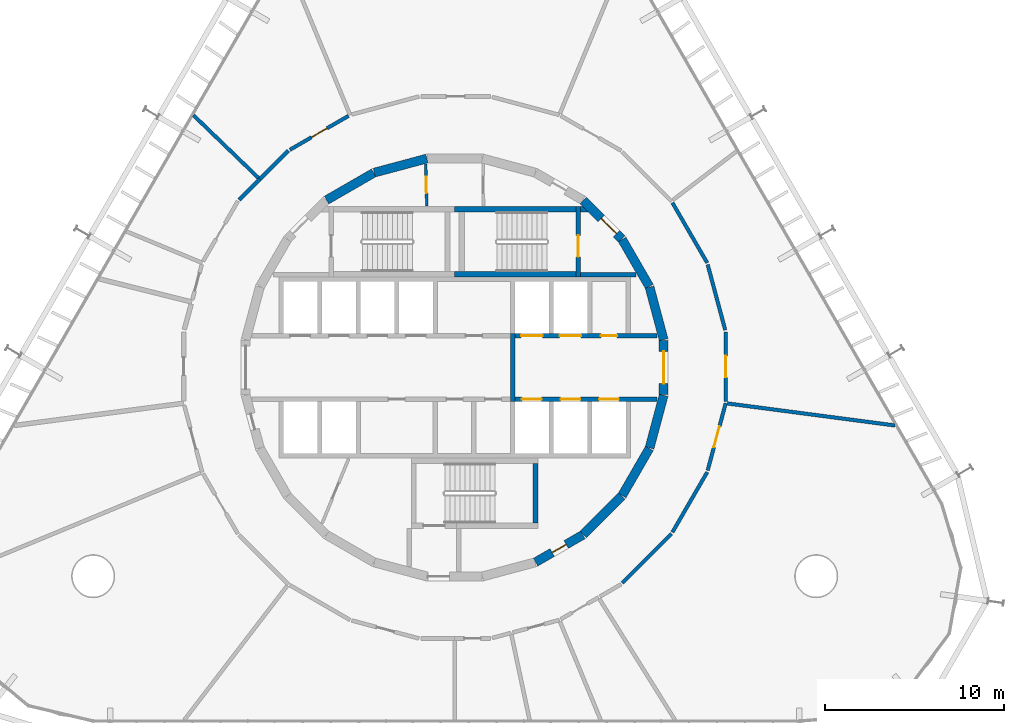
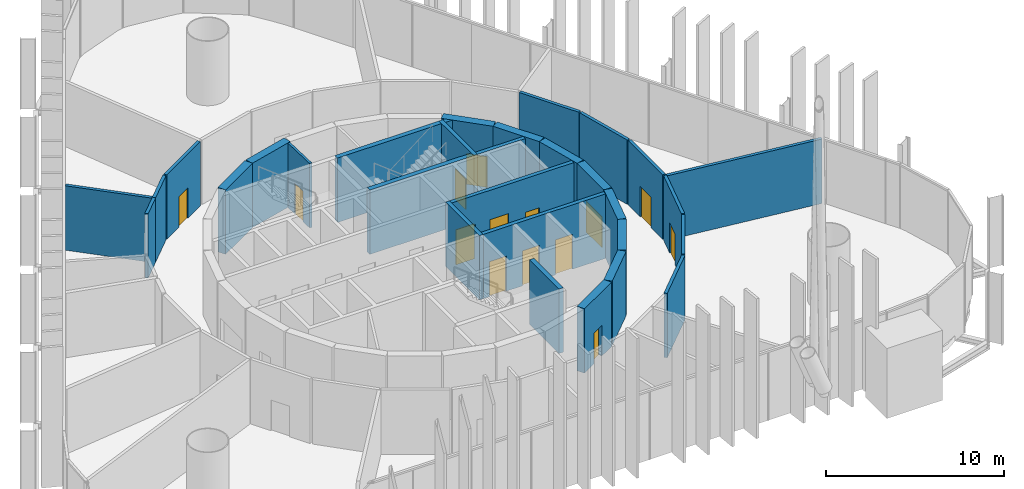
# One storey, part 16 of 18: 31 walls, 14 doors, 14 openings.
"""IFC4 building model written with IfcOpenShell, lengths in metres."""

from ifc_helpers import new_model, si_unit, direction, frame, frame_2d, origin, place, context, subcontext, project, spatial, polyline, rectangle, outline, extrude, material, layer, layer_set, type_object, element, fill, save


model = new_model("IFC4")

# Units and contexts
model_context = context("Model", 3, precision=1e-05, world=origin(), true_north=direction((0.0, 1.0)))
body_context = subcontext(model_context, "Body", "Model", "MODEL_VIEW")
ifc_project = project(units=[si_unit("LENGTHUNIT", "METRE"), si_unit("AREAUNIT", "SQUARE_METRE"), si_unit("VOLUMEUNIT", "CUBIC_METRE"), si_unit("PLANEANGLEUNIT", "RADIAN"), si_unit("MASSUNIT", "GRAM", prefix="KILO")], contexts=[model_context])

# Site, building, storey
site_placement = place(None, origin())
site = spatial("IfcSite", under=ifc_project, at=site_placement, CompositionType="ELEMENT")
building_placement = place(site_placement, origin())
building = spatial("IfcBuilding", under=site, at=building_placement, Name="Spindle Arch Residences", CompositionType="ELEMENT")
storey_placement = place(building_placement, frame((0.0, 0.0, 9.0)))
storey = spatial("IfcBuildingStorey", under=building, at=storey_placement, Name="L01", CompositionType="ELEMENT", Elevation=9.0)

# Wall, opening, door
ifc_material_1 = material(Name="Concrete C50/60", Category="concrete")
ifc_layer_1 = layer(ifc_material_1, 0.5)
ifc_layer_set_1 = layer_set([ifc_layer_1], Name="Core outline wall 500")
wall_type_1 = type_object("IfcWallType", Name="Core outline wall 500", PredefinedType="SHEAR", material=ifc_layer_set_1)
wall_1_placement = place(storey_placement, frame((4.510498046875, -10.84521484375, 0.0), z_axis=(0.0, 0.0, 1.0), x_axis=(0.865975092491, 0.500087131594, 0.0)))
wall_1 = element("IfcWall", 1, at=wall_1_placement, inside=storey, type_object=wall_type_1, Name="Core outline wall 2", PredefinedType="SHEAR", context=body_context, shape_type="SweptSolid", body=[
    extrude(rectangle(XDim=3.03271484375, YDim=0.5, at=frame_2d((1.516357421875, 0.0))), origin(), (0.0, 0.0, 1.0), 4.419921875),
])
opening_1_placement = place(wall_1_placement, frame((1.06640625, 0.0, 0.0)))
opening_1 = element("IfcOpeningElement", 2, at=opening_1_placement, cuts=wall_1, Name="Opening L01-WD09", PredefinedType="OPENING", context=body_context, shape_type="SweptSolid", body=[
    extrude(rectangle(XDim=0.89990234375, YDim=2.10009765625, at=frame_2d((0.449951171875, 1.050048828125))), frame((0.0, 0.260009765625, 0.0), z_axis=(0.0, -1.0, 0.0), x_axis=(1.0, 0.0, 0.0)), (0.0, 0.0, 1.0), 0.52001953125),
])
ifc_material_2 = material(Name="Steel, fire-resisting door", Category="steel")
door_type_1 = type_object("IfcDoorType", Name="Service room door 900x2100", OperationType="SINGLE_SWING_LEFT", PredefinedType="DOOR", material=ifc_material_2)
door_1_placement = place(opening_1_placement, origin())
door_1 = element("IfcDoor", 3, at=door_1_placement, inside=storey, type_object=door_type_1, Name="Service room door L01-WD09", OperationType="SINGLE_SWING_RIGHT", OverallHeight=2.10009765625, OverallWidth=0.89990234375, PredefinedType="DOOR", context=body_context, shape_type="SweptSolid", body=[
    extrude(rectangle(XDim=0.89990234375, YDim=2.10009765625, at=frame_2d((0.449951171875, 1.050048828125))), frame((0.0, 0.02490234375, 0.0), z_axis=(0.0, -1.0, 0.0), x_axis=(1.0, 0.0, 0.0)), (0.0, 0.0, 1.0), 0.050048828125),
])
fill(opening_1, door_1)

# Walls
wall_2_placement = place(storey_placement, frame((7.163818359375, -9.30810546875, 0.0), z_axis=(0.0, 0.0, 1.0), x_axis=(0.707106781187, 0.707106781187, 0.0)))
element("IfcWall", 4, at=wall_2_placement, inside=storey, type_object=wall_type_1, Name="Core outline wall 3", PredefinedType="SHEAR", context=body_context, shape_type="SweptSolid", body=[
    extrude(rectangle(XDim=3.032470703125, YDim=0.5, at=frame_2d((1.51611328125, 0.0))), origin(), (0.0, 0.0, 1.0), 4.419921875),
])
for number, where, z_axis, x_axis, name in (
    (5, (9.32861328125, -7.13671875, 0.0), (0.0, 0.0, 1.0), (0.500087131594, 0.865975092491, 0.0), "Core outline wall 4"),
    (6, (10.858154296875, -4.479248046875, 0.0), (0.0, 0.0, 1.0), (0.258734743916, 0.965948410781, 0.0), "Core outline wall 5"),
):
    element("IfcWall", number, at=place(storey_placement, frame(where, z_axis=z_axis, x_axis=x_axis)), inside=storey, type_object=wall_type_1, Name=name, PredefinedType="SHEAR", context=body_context, shape_type="SweptSolid", body=[
        extrude(rectangle(XDim=3.03271484375, YDim=0.5, at=frame_2d((1.516357421875, 0.0))), origin(), (0.0, 0.0, 1.0), 4.419921875),
    ])

# Wall, opening, door
wall_3_placement = place(storey_placement, frame((11.647216796875, -1.516357421875, 0.0), z_axis=(0.0, 0.0, 1.0), x_axis=(0.0, 1.0, 0.0)))
wall_3 = element("IfcWall", 7, at=wall_3_placement, inside=storey, type_object=wall_type_1, Name="Core outline wall 6", PredefinedType="SHEAR", context=body_context, shape_type="SweptSolid", body=[
    extrude(rectangle(XDim=3.03271484375, YDim=0.5, at=frame_2d((1.516357421875, 0.0))), origin(), (0.0, 0.0, 1.0), 4.419921875),
])
opening_2_placement = place(wall_3_placement, frame((0.6162109375, 0.0, 0.0)))
opening_2 = element("IfcOpeningElement", 8, at=opening_2_placement, cuts=wall_3, Name="Opening L01-FE01", PredefinedType="OPENING", context=body_context, shape_type="SweptSolid", body=[
    extrude(rectangle(XDim=1.800048828125, YDim=2.10009765625, at=frame_2d((0.89990234375, 1.050048828125))), frame((0.0, 0.260009765625, 0.0), z_axis=(0.0, -1.0, 0.0), x_axis=(1.0, 0.0, 0.0)), (0.0, 0.0, 1.0), 0.52001953125),
])
ifc_material_3 = material(Name="Steel, fire-resisting door", Category="steel")
door_type_2 = type_object("IfcDoorType", Name="Fire-lift lobby door 1800x2100", OperationType="DOUBLE_DOOR_SINGLE_SWING", PredefinedType="DOOR", material=ifc_material_3)
door_2_placement = place(opening_2_placement, origin())
door_2 = element("IfcDoor", 9, at=door_2_placement, inside=storey, type_object=door_type_2, Name="Fire-lift lobby door L01-FE01", OperationType="DOUBLE_DOOR_SINGLE_SWING", OverallHeight=2.10009765625, OverallWidth=1.800048828125, PredefinedType="DOOR", context=body_context, shape_type="SweptSolid", body=[
    extrude(rectangle(XDim=1.800048828125, YDim=2.10009765625, at=frame_2d((0.89990234375, 1.050048828125))), frame((0.0, 0.02490234375, 0.0), z_axis=(0.0, -1.0, 0.0), x_axis=(1.0, 0.0, 0.0)), (0.0, 0.0, 1.0), 0.050048828125),
])
fill(opening_2, door_2)

# Walls
for number, where, z_axis, x_axis, name in (
    (10, (11.642822265625, 1.5498046875, 0.0), (0.0, 0.0, 1.0), (-0.258734743916, 0.965948410781, 0.0), "Core outline wall 7"),
    (11, (10.84521484375, 4.510498046875, 0.0), (0.0, 0.0, 1.0), (-0.500087131594, 0.865975092491, 0.0), "Core outline wall 8"),
):
    element("IfcWall", number, at=place(storey_placement, frame(where, z_axis=z_axis, x_axis=x_axis)), inside=storey, type_object=wall_type_1, Name=name, PredefinedType="SHEAR", context=body_context, shape_type="SweptSolid", body=[
        extrude(rectangle(XDim=3.03271484375, YDim=0.5, at=frame_2d((1.516357421875, 0.0))), origin(), (0.0, 0.0, 1.0), 4.419921875),
    ])

# Wall, opening, door
wall_4_placement = place(storey_placement, frame((9.30810546875, 7.163818359375, 0.0), z_axis=(0.0, 0.0, 1.0), x_axis=(-0.707106781187, 0.707106781187, 0.0)))
wall_4 = element("IfcWall", 12, at=wall_4_placement, inside=storey, type_object=wall_type_1, Name="Core outline wall 9", PredefinedType="SHEAR", context=body_context, shape_type="SweptSolid", body=[
    extrude(rectangle(XDim=3.032470703125, YDim=0.5, at=frame_2d((1.51611328125, 0.0))), origin(), (0.0, 0.0, 1.0), 4.419921875),
])
opening_3_placement = place(wall_4_placement, frame((0.416259765625, 0.0, 0.0)))
opening_3 = element("IfcOpeningElement", 13, at=opening_3_placement, cuts=wall_4, Name="Opening L01-AD01", PredefinedType="OPENING", context=body_context, shape_type="SweptSolid", body=[
    extrude(rectangle(XDim=1.199951171875, YDim=2.10009765625, at=frame_2d((0.60009765625, 1.050048828125))), frame((0.0, 0.260009765625, 0.0), z_axis=(0.0, -1.0, 0.0), x_axis=(1.0, 0.0, 0.0)), (0.0, 0.0, 1.0), 0.52001953125),
])
ifc_material_4 = material(Name="Steel, fire-resisting door", Category="steel")
door_type_3 = type_object("IfcDoorType", Name="Stair airlock door 1200x2100", OperationType="SINGLE_SWING_LEFT", PredefinedType="DOOR", material=ifc_material_4)
door_3_placement = place(opening_3_placement, origin())
door_3 = element("IfcDoor", 14, at=door_3_placement, inside=storey, type_object=door_type_3, Name="Stair airlock door L01-AD01", OperationType="SINGLE_SWING_RIGHT", OverallHeight=2.10009765625, OverallWidth=1.199951171875, PredefinedType="DOOR", context=body_context, shape_type="SweptSolid", body=[
    extrude(rectangle(XDim=1.199951171875, YDim=2.10009765625, at=frame_2d((0.60009765625, 1.050048828125))), frame((0.0, 0.02490234375, 0.0), z_axis=(0.0, -1.0, 0.0), x_axis=(1.0, 0.0, 0.0)), (0.0, 0.0, 1.0), 0.050048828125),
])
fill(opening_3, door_3)

# Walls
for number, where, z_axis, x_axis, name in (
    (15, (-1.5498046875, 11.642822265625, 0.0), (0.0, 0.0, 1.0), (-0.965948410781, -0.258734743916, 0.0), "Core outline wall 13"),
    (16, (-4.510498046875, 10.84521484375, 0.0), (0.0, 0.0, 1.0), (-0.865975092491, -0.500087131594, 0.0), "Core outline wall 14"),
):
    element("IfcWall", number, at=place(storey_placement, frame(where, z_axis=z_axis, x_axis=x_axis)), inside=storey, type_object=wall_type_1, Name=name, PredefinedType="SHEAR", context=body_context, shape_type="SweptSolid", body=[
        extrude(rectangle(XDim=3.03271484375, YDim=0.5, at=frame_2d((1.516357421875, 0.0))), origin(), (0.0, 0.0, 1.0), 4.419921875),
    ])

# Wall, openings, doors
ifc_material_5 = material(Name="Concrete C40/50", Category="concrete")
ifc_layer_2 = layer(ifc_material_5, 0.25)
ifc_layer_set_2 = layer_set([ifc_layer_2], Name="Fire-lift lobby wall 250")
wall_type_2 = type_object("IfcWallType", Name="Fire-lift lobby wall 250", PredefinedType="SHEAR", material=ifc_layer_set_2)
wall_5_placement = place(storey_placement, frame((3.35009765625, 1.77490234375, 0.0), z_axis=(0.0, 0.0, 1.0), x_axis=(1.0, 0.0, 0.0)))
wall_5 = element("IfcWall", 17, at=wall_5_placement, inside=storey, type_object=wall_type_2, Name="Lift shaft front wall NE", PredefinedType="SHEAR", context=body_context, shape_type="SweptSolid", body=[
    extrude(rectangle(XDim=7.929931640625, YDim=0.25, at=frame_2d((3.96484375, 0.0))), origin(), (0.0, 0.0, 1.0), 4.419921875),
])
opening_4_placement = place(wall_5_placement, frame((0.35009765625, 0.0, 0.0)))
opening_4 = element("IfcOpeningElement", 18, at=opening_4_placement, cuts=wall_5, Name="Opening L01-SLD01", PredefinedType="OPENING", context=body_context, shape_type="SweptSolid", body=[
    extrude(rectangle(XDim=1.199951171875, YDim=2.39990234375, at=frame_2d((0.60009765625, 1.199951171875))), frame((0.0, 0.135009765625, 0.0), z_axis=(0.0, -1.0, 0.0), x_axis=(1.0, 0.0, 0.0)), (0.0, 0.0, 1.0), 0.27001953125),
])
opening_5_placement = place(wall_5_placement, frame((2.5, 0.0, 0.0)))
opening_5 = element("IfcOpeningElement", 19, at=opening_5_placement, cuts=wall_5, Name="Opening L01-SLD02", PredefinedType="OPENING", context=body_context, shape_type="SweptSolid", body=[
    extrude(rectangle(XDim=1.199951171875, YDim=2.39990234375, at=frame_2d((0.60009765625, 1.199951171875))), frame((0.0, 0.135009765625, 0.0), z_axis=(0.0, -1.0, 0.0), x_axis=(1.0, 0.0, 0.0)), (0.0, 0.0, 1.0), 0.27001953125),
])
opening_6_placement = place(wall_5_placement, frame((4.800048828125, 0.0, 0.0)))
opening_6 = element("IfcOpeningElement", 20, at=opening_6_placement, cuts=wall_5, Name="Opening L01-WD02", PredefinedType="OPENING", context=body_context, shape_type="SweptSolid", body=[
    extrude(rectangle(XDim=0.89990234375, YDim=2.10009765625, at=frame_2d((0.449951171875, 1.050048828125))), frame((0.0, 0.135009765625, 0.0), z_axis=(0.0, -1.0, 0.0), x_axis=(1.0, 0.0, 0.0)), (0.0, 0.0, 1.0), 0.27001953125),
])
ifc_material_6 = material(Name="Steel, fire-resisting landing door", Category="steel")
door_type_4 = type_object("IfcDoorType", Name="Service lift landing door 1200x2400", OperationType="DOUBLE_DOOR_SLIDING", PredefinedType="DOOR", material=ifc_material_6)
door_4_placement = place(opening_4_placement, origin())
door_4 = element("IfcDoor", 21, at=door_4_placement, inside=storey, type_object=door_type_4, Name="Service lift landing door L01-SLD01", OperationType="DOUBLE_DOOR_SLIDING", OverallHeight=2.39990234375, OverallWidth=1.199951171875, PredefinedType="DOOR", context=body_context, shape_type="SweptSolid", body=[
    extrude(rectangle(XDim=1.199951171875, YDim=2.39990234375, at=frame_2d((0.60009765625, 1.199951171875))), frame((0.0, 0.02490234375, 0.0), z_axis=(0.0, -1.0, 0.0), x_axis=(1.0, 0.0, 0.0)), (0.0, 0.0, 1.0), 0.050048828125),
])
fill(opening_4, door_4)
door_5_placement = place(opening_5_placement, origin())
door_5 = element("IfcDoor", 22, at=door_5_placement, inside=storey, type_object=door_type_4, Name="Service lift landing door L01-SLD02", OperationType="DOUBLE_DOOR_SLIDING", OverallHeight=2.39990234375, OverallWidth=1.199951171875, PredefinedType="DOOR", context=body_context, shape_type="SweptSolid", body=[
    extrude(rectangle(XDim=1.199951171875, YDim=2.39990234375, at=frame_2d((0.60009765625, 1.199951171875))), frame((0.0, 0.02490234375, 0.0), z_axis=(0.0, -1.0, 0.0), x_axis=(1.0, 0.0, 0.0)), (0.0, 0.0, 1.0), 0.050048828125),
])
fill(opening_5, door_5)
door_6_placement = place(opening_6_placement, origin())
door_6 = element("IfcDoor", 23, at=door_6_placement, inside=storey, type_object=door_type_1, Name="Service room door L01-WD02", OperationType="SINGLE_SWING_LEFT", OverallHeight=2.10009765625, OverallWidth=0.89990234375, PredefinedType="DOOR", context=body_context, shape_type="SweptSolid", body=[
    extrude(rectangle(XDim=0.89990234375, YDim=2.10009765625, at=frame_2d((0.449951171875, 1.050048828125))), frame((0.0, 0.02490234375, 0.0), z_axis=(0.0, -1.0, 0.0), x_axis=(1.0, 0.0, 0.0)), (0.0, 0.0, 1.0), 0.050048828125),
])
fill(opening_6, door_6)

# Wall
wall_6_placement = place(storey_placement, frame((3.22509765625, -1.89990234375, 0.0), z_axis=(0.0, 0.0, 1.0), x_axis=(0.0, 1.0, 0.0)))
element("IfcWall", 24, at=wall_6_placement, inside=storey, type_object=wall_type_2, Name="Fire-fighting lobby partition", PredefinedType="SHEAR", context=body_context, shape_type="SweptSolid", body=[
    extrude(rectangle(XDim=3.7998046875, YDim=0.25, at=frame_2d((1.89990234375, 0.0))), origin(), (0.0, 0.0, 1.0), 4.419921875),
])

# Wall, openings, doors
ifc_material_7 = material(Name="Concrete C50/60", Category="concrete")
ifc_layer_3 = layer(ifc_material_7, 0.25)
ifc_layer_set_3 = layer_set([ifc_layer_3], Name="Fire-lift shaft wall 250")
wall_type_3 = type_object("IfcWallType", Name="Fire-lift shaft wall 250", PredefinedType="SHEAR", material=ifc_layer_set_3)
wall_7_placement = place(storey_placement, frame((3.35009765625, -1.77490234375, 0.0), z_axis=(0.0, 0.0, 1.0), x_axis=(1.0, 0.0, 0.0)))
wall_7 = element("IfcWall", 25, at=wall_7_placement, inside=storey, type_object=wall_type_3, Name="Lift shaft front wall SE", PredefinedType="SHEAR", context=body_context, shape_type="SweptSolid", body=[
    extrude(rectangle(XDim=7.929931640625, YDim=0.25, at=frame_2d((3.96484375, 0.0))), origin(), (0.0, 0.0, 1.0), 4.419921875),
])
opening_7_placement = place(wall_7_placement, frame((0.39990234375, 0.0, 0.0)))
opening_7 = element("IfcOpeningElement", 26, at=opening_7_placement, cuts=wall_7, Name="Opening L01-FLD01", PredefinedType="OPENING", context=body_context, shape_type="SweptSolid", body=[
    extrude(rectangle(XDim=1.10009765625, YDim=2.39990234375, at=frame_2d((0.550048828125, 1.199951171875))), frame((0.0, 0.135009765625, 0.0), z_axis=(0.0, -1.0, 0.0), x_axis=(1.0, 0.0, 0.0)), (0.0, 0.0, 1.0), 0.27001953125),
])
opening_8_placement = place(wall_7_placement, frame((2.550048828125, 0.0, 0.0)))
opening_8 = element("IfcOpeningElement", 27, at=opening_8_placement, cuts=wall_7, Name="Opening L01-FLD02", PredefinedType="OPENING", context=body_context, shape_type="SweptSolid", body=[
    extrude(rectangle(XDim=1.10009765625, YDim=2.39990234375, at=frame_2d((0.550048828125, 1.199951171875))), frame((0.0, 0.135009765625, 0.0), z_axis=(0.0, -1.0, 0.0), x_axis=(1.0, 0.0, 0.0)), (0.0, 0.0, 1.0), 0.27001953125),
])
opening_9_placement = place(wall_7_placement, frame((4.699951171875, 0.0, 0.0)))
opening_9 = element("IfcOpeningElement", 28, at=opening_9_placement, cuts=wall_7, Name="Opening L01-FLD03", PredefinedType="OPENING", context=body_context, shape_type="SweptSolid", body=[
    extrude(rectangle(XDim=1.10009765625, YDim=2.39990234375, at=frame_2d((0.550048828125, 1.199951171875))), frame((0.0, 0.135009765625, 0.0), z_axis=(0.0, -1.0, 0.0), x_axis=(1.0, 0.0, 0.0)), (0.0, 0.0, 1.0), 0.27001953125),
])
ifc_material_8 = material(Name="Steel, fire-resisting landing door", Category="steel")
door_type_5 = type_object("IfcDoorType", Name="Fire-fighting lift landing door 1100x2400", OperationType="DOUBLE_DOOR_SLIDING", PredefinedType="DOOR", material=ifc_material_8)
door_7_placement = place(opening_7_placement, origin())
door_7 = element("IfcDoor", 29, at=door_7_placement, inside=storey, type_object=door_type_5, Name="Fire-fighting lift landing door L01-FLD01", OperationType="DOUBLE_DOOR_SLIDING", OverallHeight=2.39990234375, OverallWidth=1.10009765625, PredefinedType="DOOR", context=body_context, shape_type="SweptSolid", body=[
    extrude(rectangle(XDim=1.10009765625, YDim=2.39990234375, at=frame_2d((0.550048828125, 1.199951171875))), frame((0.0, 0.02490234375, 0.0), z_axis=(0.0, -1.0, 0.0), x_axis=(1.0, 0.0, 0.0)), (0.0, 0.0, 1.0), 0.050048828125),
])
fill(opening_7, door_7)
door_8_placement = place(opening_8_placement, origin())
door_8 = element("IfcDoor", 30, at=door_8_placement, inside=storey, type_object=door_type_5, Name="Fire-fighting lift landing door L01-FLD02", OperationType="DOUBLE_DOOR_SLIDING", OverallHeight=2.39990234375, OverallWidth=1.10009765625, PredefinedType="DOOR", context=body_context, shape_type="SweptSolid", body=[
    extrude(rectangle(XDim=1.10009765625, YDim=2.39990234375, at=frame_2d((0.550048828125, 1.199951171875))), frame((0.0, 0.02490234375, 0.0), z_axis=(0.0, -1.0, 0.0), x_axis=(1.0, 0.0, 0.0)), (0.0, 0.0, 1.0), 0.050048828125),
])
fill(opening_8, door_8)
door_9_placement = place(opening_9_placement, origin())
door_9 = element("IfcDoor", 31, at=door_9_placement, inside=storey, type_object=door_type_5, Name="Fire-fighting lift landing door L01-FLD03", OperationType="DOUBLE_DOOR_SLIDING", OverallHeight=2.39990234375, OverallWidth=1.10009765625, PredefinedType="DOOR", context=body_context, shape_type="SweptSolid", body=[
    extrude(rectangle(XDim=1.10009765625, YDim=2.39990234375, at=frame_2d((0.550048828125, 1.199951171875))), frame((0.0, 0.02490234375, 0.0), z_axis=(0.0, -1.0, 0.0), x_axis=(1.0, 0.0, 0.0)), (0.0, 0.0, 1.0), 0.050048828125),
])
fill(opening_9, door_9)

# Walls
ifc_material_9 = material(Name="Gypsum board partition on steel studs", Category="steel")
ifc_layer_4 = layer(ifc_material_9, 0.199951171875)
ifc_layer_set_4 = layer_set([ifc_layer_4], Name="Partition EI 60 200 amenity")
wall_type_4 = type_object("IfcWallType", Name="Partition EI 60 200 amenity", PredefinedType="PARTITIONING", material=ifc_layer_set_4)
wall_8_placement = place(storey_placement, frame((-10.931884765625, 10.559326171875, 0.0), z_axis=(0.0, 0.0, 1.0), x_axis=(-0.719667489814, 0.694318877825, 0.0)))
element("IfcWall", 32, at=wall_8_placement, inside=storey, type_object=wall_type_4, Name="L01-W012", PredefinedType="PARTITIONING", context=body_context, shape_type="SweptSolid", body=[
    extrude(rectangle(XDim=5.027587890625, YDim=0.199951171875, at=frame_2d((2.513671875, 0.0))), origin(), (0.0, 0.0, 1.0), 4.419921875),
])
wall_9_placement = place(storey_placement, frame((-10.860107421875, 10.489990234375, 0.0), z_axis=(0.0, 0.0, 1.0), x_axis=(-0.707106781187, -0.707106781187, 0.0)))
element("IfcWall", 33, at=wall_9_placement, inside=storey, type_object=wall_type_4, Name="L01-W013", PredefinedType="PARTITIONING", context=body_context, shape_type="SweptSolid", body=[
    extrude(rectangle(XDim=1.625244140625, YDim=0.199951171875, at=frame_2d((0.8125, 0.0))), origin(), (0.0, 0.0, 1.0), 4.419921875),
])
wall_10_placement = place(storey_placement, frame((-9.27001953125, 12.080078125, 0.0), z_axis=(0.0, 0.0, 1.0), x_axis=(-0.707106781187, -0.707106781187, 0.0)))
element("IfcWall", 34, at=wall_10_placement, inside=storey, type_object=wall_type_4, Name="L01-W016", PredefinedType="PARTITIONING", context=body_context, shape_type="SweptSolid", body=[
    extrude(rectangle(XDim=2.248779296875, YDim=0.199951171875, at=frame_2d((1.12451171875, 0.0))), origin(), (0.0, 0.0, 1.0), 4.419921875),
])

# Wall, opening, door
wall_11_placement = place(storey_placement, frame((-5.91650390625, 14.02001953125, 0.0), z_axis=(0.0, 0.0, 1.0), x_axis=(-0.865591582237, -0.500750649286, 0.0)))
wall_11 = element("IfcWall", 35, at=wall_11_placement, inside=storey, type_object=wall_type_4, Name="L01-W019", PredefinedType="PARTITIONING", context=body_context, shape_type="SweptSolid", body=[
    extrude(rectangle(XDim=3.774169921875, YDim=0.199951171875, at=frame_2d((1.88720703125, 0.0))), origin(), (0.0, 0.0, 1.0), 4.419921875),
])
opening_10_placement = place(wall_11_placement, frame((1.38720703125, 0.0, 0.0)))
opening_10 = element("IfcOpeningElement", 36, at=opening_10_placement, cuts=wall_11, Name="Opening L01-D13", PredefinedType="OPENING", context=body_context, shape_type="SweptSolid", body=[
    extrude(rectangle(XDim=1.0, YDim=2.10009765625, at=frame_2d((0.5, 1.050048828125))), frame((0.0, 0.10986328125, 0.0), z_axis=(0.0, -1.0, 0.0), x_axis=(1.0, 0.0, 0.0)), (0.0, 0.0, 1.0), 0.219970703125),
])
ifc_material_10 = material(Name="Timber door leaf", Category="wood")
door_type_6 = type_object("IfcDoorType", Name="Door 1000x2100 EI 30", OperationType="SINGLE_SWING_LEFT", PredefinedType="DOOR", material=ifc_material_10)
door_10_placement = place(opening_10_placement, origin())
door_10 = element("IfcDoor", 37, at=door_10_placement, inside=storey, type_object=door_type_6, Name="L01-D13", OperationType="SINGLE_SWING_LEFT", OverallHeight=2.10009765625, OverallWidth=1.0, PredefinedType="DOOR", context=body_context, shape_type="SweptSolid", body=[
    extrude(rectangle(XDim=1.0, YDim=2.10009765625, at=frame_2d((0.5, 1.050048828125))), frame((0.0, 0.02490234375, 0.0), z_axis=(0.0, -1.0, 0.0), x_axis=(1.0, 0.0, 0.0)), (0.0, 0.0, 1.0), 0.050048828125),
])
fill(opening_10, door_10)

# Walls
wall_12_placement = place(storey_placement, frame((9.3408203125, -12.00927734375, 0.0), z_axis=(0.0, 0.0, 1.0), x_axis=(0.707106781187, 0.707106781187, 0.0)))
element("IfcWall", 38, at=wall_12_placement, inside=storey, type_object=wall_type_4, Name="L01-W033", PredefinedType="PARTITIONING", context=body_context, shape_type="SweptSolid", body=[
    extrude(rectangle(XDim=3.873779296875, YDim=0.199951171875, at=frame_2d((1.93701171875, 0.0))), origin(), (0.0, 0.0, 1.0), 4.419921875),
])
wall_13_placement = place(storey_placement, frame((12.130126953125, -9.183349609375, 0.0), z_axis=(0.0, 0.0, 1.0), x_axis=(0.500760497952, 0.865585884642, 0.0)))
element("IfcWall", 39, at=wall_13_placement, inside=storey, type_object=wall_type_4, Name="L01-W036", PredefinedType="PARTITIONING", context=body_context, shape_type="SweptSolid", body=[
    extrude(rectangle(XDim=3.8740234375, YDim=0.199951171875, at=frame_2d((1.93701171875, 0.0))), origin(), (0.0, 0.0, 1.0), 4.419921875),
])

# Wall, opening, door
wall_14_placement = place(storey_placement, frame((14.095947265625, -5.7333984375, 0.0), z_axis=(0.0, 0.0, 1.0), x_axis=(0.259085569159, 0.96585437197, 0.0)))
wall_14 = element("IfcWall", 40, at=wall_14_placement, inside=storey, type_object=wall_type_4, Name="L01-W039", PredefinedType="PARTITIONING", context=body_context, shape_type="SweptSolid", body=[
    extrude(rectangle(XDim=3.875732421875, YDim=0.199951171875, at=frame_2d((1.93798828125, 0.0))), origin(), (0.0, 0.0, 1.0), 4.419921875),
])
opening_11_placement = place(wall_14_placement, frame((1.337890625, 0.0, 0.0)))
opening_11 = element("IfcOpeningElement", 41, at=opening_11_placement, cuts=wall_14, Name="Opening L01-D06", PredefinedType="OPENING", context=body_context, shape_type="SweptSolid", body=[
    extrude(rectangle(XDim=1.199951171875, YDim=2.10009765625, at=frame_2d((0.60009765625, 1.050048828125))), frame((0.0, 0.10986328125, 0.0), z_axis=(0.0, -1.0, 0.0), x_axis=(1.0, 0.0, 0.0)), (0.0, 0.0, 1.0), 0.219970703125),
])
ifc_material_11 = material(Name="Timber door leaf", Category="wood")
door_type_7 = type_object("IfcDoorType", Name="Door 1200x2100 EI 30", OperationType="SINGLE_SWING_LEFT", PredefinedType="DOOR", material=ifc_material_11)
door_11_placement = place(opening_11_placement, origin())
door_11 = element("IfcDoor", 42, at=door_11_placement, inside=storey, type_object=door_type_7, Name="L01-D06", OperationType="SINGLE_SWING_LEFT", OverallHeight=2.10009765625, OverallWidth=1.199951171875, PredefinedType="DOOR", context=body_context, shape_type="SweptSolid", body=[
    extrude(rectangle(XDim=1.199951171875, YDim=2.10009765625, at=frame_2d((0.60009765625, 1.050048828125))), frame((0.0, 0.02490234375, 0.0), z_axis=(0.0, -1.0, 0.0), x_axis=(1.0, 0.0, 0.0)), (0.0, 0.0, 1.0), 0.050048828125),
])
fill(opening_11, door_11)

# Wall
wall_15_placement = place(storey_placement, frame((14.070068359375, 5.830078125, 0.0), z_axis=(0.0, 0.0, 1.0), x_axis=(-0.500760497952, 0.865585884642, 0.0)))
element("IfcWall", 43, at=wall_15_placement, inside=storey, type_object=wall_type_4, Name="L01-W040", PredefinedType="PARTITIONING", context=body_context, shape_type="SweptSolid", body=[
    extrude(rectangle(XDim=3.8740234375, YDim=0.199951171875, at=frame_2d((1.93701171875, 0.0))), origin(), (0.0, 0.0, 1.0), 4.419921875),
])

# Wall, opening, door
wall_16_placement = place(storey_placement, frame((15.10009765625, -1.889892578125, 0.0), z_axis=(0.0, 0.0, 1.0), x_axis=(0.0, 1.0, 0.0)))
wall_16 = element("IfcWall", 44, at=wall_16_placement, inside=storey, type_object=wall_type_4, Name="L01-W041", PredefinedType="PARTITIONING", context=body_context, shape_type="SweptSolid", body=[
    extrude(rectangle(XDim=3.8798828125, YDim=0.199951171875, at=frame_2d((1.93994140625, 0.0))), origin(), (0.0, 0.0, 1.0), 4.419921875),
])
opening_12_placement = place(wall_16_placement, frame((1.340087890625, 0.0, 0.0)))
opening_12 = element("IfcOpeningElement", 45, at=opening_12_placement, cuts=wall_16, Name="Opening L01-D09", PredefinedType="OPENING", context=body_context, shape_type="SweptSolid", body=[
    extrude(rectangle(XDim=1.199951171875, YDim=2.10009765625, at=frame_2d((0.60009765625, 1.050048828125))), frame((0.0, 0.10986328125, 0.0), z_axis=(0.0, -1.0, 0.0), x_axis=(1.0, 0.0, 0.0)), (0.0, 0.0, 1.0), 0.219970703125),
])
door_12_placement = place(opening_12_placement, origin())
door_12 = element("IfcDoor", 46, at=door_12_placement, inside=storey, type_object=door_type_7, Name="L01-D09", OperationType="SINGLE_SWING_LEFT", OverallHeight=2.10009765625, OverallWidth=1.199951171875, PredefinedType="DOOR", context=body_context, shape_type="SweptSolid", body=[
    extrude(rectangle(XDim=1.199951171875, YDim=2.10009765625, at=frame_2d((0.60009765625, 1.050048828125))), frame((0.0, 0.02490234375, 0.0), z_axis=(0.0, -1.0, 0.0), x_axis=(1.0, 0.0, 0.0)), (0.0, 0.0, 1.0), 0.050048828125),
])
fill(opening_12, door_12)

# Walls
wall_17_placement = place(storey_placement, frame((15.19921875, -2.0029296875, 0.0), z_axis=(0.0, 0.0, 1.0), x_axis=(0.991463740717, -0.130382709146, 0.0)))
element("IfcWall", 47, at=wall_17_placement, inside=storey, type_object=wall_type_4, Name="L01-W042", PredefinedType="PARTITIONING", context=body_context, shape_type="SweptSolid", body=[
    extrude(rectangle(XDim=9.4111328125, YDim=0.199951171875, at=frame_2d((4.70556640625, 0.0))), origin(), (0.0, 0.0, 1.0), 4.419921875),
])
wall_18_placement = place(storey_placement, frame((15.073974609375, 2.086669921875, 0.0), z_axis=(0.0, 0.0, 1.0), x_axis=(-0.259038819442, 0.965866911133, 0.0)))
element("IfcWall", 48, at=wall_18_placement, inside=storey, type_object=wall_type_4, Name="L01-W043", PredefinedType="PARTITIONING", context=body_context, shape_type="SweptSolid", body=[
    extrude(rectangle(XDim=3.775634765625, YDim=0.199951171875, at=frame_2d((1.8876953125, 0.0))), origin(), (0.0, 0.0, 1.0), 4.419921875),
])

# Wall, opening, door
ifc_material_12 = material(Name="Concrete C25/30", Category="concrete")
ifc_layer_5 = layer(ifc_material_12, 0.14990234375)
ifc_layer_set_5 = layer_set([ifc_layer_5], Name="Service room partition 150")
wall_type_5 = type_object("IfcWallType", Name="Service room partition 150", PredefinedType="PARTITIONING", material=ifc_layer_set_5)
wall_19_placement = place(storey_placement, frame((-1.555419921875, 8.989990234375, 0.0), z_axis=(0.0, 0.0, 1.0), x_axis=(-0.024125549686, 0.999708936567, 0.0)))
wall_19 = element("IfcWall", 49, at=wall_19_placement, inside=storey, type_object=wall_type_5, Name="Core service room partition", PredefinedType="PARTITIONING", context=body_context, shape_type="SweptSolid", body=[
    extrude(rectangle(XDim=2.35791015625, YDim=0.14990234375, at=frame_2d((1.178955078125, 0.0))), origin(), (0.0, 0.0, 1.0), 4.419921875),
])
opening_13_placement = place(wall_19_placement, frame((0.72900390625, 0.0, 0.0)))
opening_13 = element("IfcOpeningElement", 50, at=opening_13_placement, cuts=wall_19, Name="Opening L01-WD08", PredefinedType="OPENING", context=body_context, shape_type="SweptSolid", body=[
    extrude(rectangle(XDim=0.89990234375, YDim=2.10009765625, at=frame_2d((0.449951171875, 1.050048828125))), frame((0.0, 0.0849609375, 0.0), z_axis=(0.0, -1.0, 0.0), x_axis=(1.0, 0.0, 0.0)), (0.0, 0.0, 1.0), 0.169921875),
])
door_13_placement = place(opening_13_placement, origin())
door_13 = element("IfcDoor", 51, at=door_13_placement, inside=storey, type_object=door_type_1, Name="Service room door L01-WD08", OperationType="SINGLE_SWING_LEFT", OverallHeight=2.10009765625, OverallWidth=0.89990234375, PredefinedType="DOOR", context=body_context, shape_type="SweptSolid", body=[
    extrude(rectangle(XDim=0.89990234375, YDim=2.10009765625, at=frame_2d((0.449951171875, 1.050048828125))), frame((0.0, 0.02490234375, 0.0), z_axis=(0.0, -1.0, 0.0), x_axis=(1.0, 0.0, 0.0)), (0.0, 0.0, 1.0), 0.050048828125),
])
fill(opening_13, door_13)

# Walls
ifc_material_13 = material(Name="Concrete C40/50", Category="concrete")
ifc_layer_6 = layer(ifc_material_13, 0.25)
ifc_layer_set_6 = layer_set([ifc_layer_6], Name="Stair airlock wall 250")
wall_type_6 = type_object("IfcWallType", Name="Stair airlock wall 250", PredefinedType="SHEAR", material=ifc_layer_set_6)
wall_20_placement = place(storey_placement, frame((7.0, 5.175048828125, 0.0), z_axis=(0.0, 0.0, 1.0), x_axis=(1.0, 0.0, 0.0)))
element("IfcWall", 52, at=wall_20_placement, inside=storey, type_object=wall_type_6, Name="Stair ST-1 airlock wall S", PredefinedType="SHEAR", context=body_context, shape_type="SweptSolid", body=[
    extrude(rectangle(XDim=3.10009765625, YDim=0.25, at=frame_2d((1.550048828125, 0.0))), origin(), (0.0, 0.0, 1.0), 4.419921875),
])
ifc_material_14 = material(Name="Concrete C40/50", Category="concrete")
wall_type_7 = type_object("IfcWallType", Name="Stair airlock wall profile", PredefinedType="SHEAR", material=ifc_material_14)
wall_21_placement = place(storey_placement, origin())
element("IfcWall", 53, at=wall_21_placement, inside=storey, type_object=wall_type_7, Name="Stair ST-1 airlock wall N", PredefinedType="SHEAR", context=body_context, shape_type="SweptSolid", body=[
    extrude(outline(polyline([(7.4482421875, 8.669921875), (7.0, 8.669921875), (7.0, 8.969970703125), (7.148193359375, 8.969970703125), (7.4482421875, 8.669921875)])), origin(), (0.0, 0.0, 1.0), 4.419921875),
])

# Wall, opening, door
ifc_material_15 = material(Name="Concrete C50/60", Category="concrete")
ifc_layer_7 = layer(ifc_material_15, 0.25)
ifc_layer_set_7 = layer_set([ifc_layer_7], Name="Stair enclosure wall 250")
wall_type_8 = type_object("IfcWallType", Name="Stair enclosure wall 250", PredefinedType="SHEAR", material=ifc_layer_set_7)
wall_22_placement = place(storey_placement, frame((6.875, 5.050048828125, 0.0), z_axis=(0.0, 0.0, 1.0), x_axis=(0.0, 1.0, 0.0)))
wall_22 = element("IfcWall", 54, at=wall_22_placement, inside=storey, type_object=wall_type_8, Name="Stair ST-1 door wall", PredefinedType="SHEAR", context=body_context, shape_type="SweptSolid", body=[
    extrude(rectangle(XDim=3.919921875, YDim=0.25, at=frame_2d((1.9599609375, 0.0))), origin(), (0.0, 0.0, 1.0), 4.419921875),
])
opening_14_placement = place(wall_22_placement, frame((1.110107421875, 0.0, 0.0)))
opening_14 = element("IfcOpeningElement", 55, at=opening_14_placement, cuts=wall_22, Name="Opening L01-SD01", PredefinedType="OPENING", context=body_context, shape_type="SweptSolid", body=[
    extrude(rectangle(XDim=1.199951171875, YDim=2.10009765625, at=frame_2d((0.60009765625, 1.050048828125))), frame((0.0, 0.135009765625, 0.0), z_axis=(0.0, -1.0, 0.0), x_axis=(1.0, 0.0, 0.0)), (0.0, 0.0, 1.0), 0.27001953125),
])
ifc_material_16 = material(Name="Steel, fire-resisting door", Category="steel")
door_type_8 = type_object("IfcDoorType", Name="Stair door 1200x2100", OperationType="SINGLE_SWING_RIGHT", PredefinedType="DOOR", material=ifc_material_16)
door_14_placement = place(opening_14_placement, origin())
door_14 = element("IfcDoor", 56, at=door_14_placement, inside=storey, type_object=door_type_8, Name="Stair door L01-SD01", OperationType="SINGLE_SWING_LEFT", OverallHeight=2.10009765625, OverallWidth=1.199951171875, PredefinedType="DOOR", context=body_context, shape_type="SweptSolid", body=[
    extrude(rectangle(XDim=1.199951171875, YDim=2.10009765625, at=frame_2d((0.60009765625, 1.050048828125))), frame((0.0, 0.02490234375, 0.0), z_axis=(0.0, -1.0, 0.0), x_axis=(1.0, 0.0, 0.0)), (0.0, 0.0, 1.0), 0.050048828125),
])
fill(opening_14, door_14)

# Walls
ifc_material_17 = material(Name="Concrete C50/60", Category="concrete")
ifc_layer_8 = layer(ifc_material_17, 0.300048828125)
ifc_layer_set_8 = layer_set([ifc_layer_8], Name="Stair enclosure wall 300")
wall_type_9 = type_object("IfcWallType", Name="Stair enclosure wall 300", PredefinedType="SHEAR", material=ifc_layer_set_8)
for number, where, z_axis, x_axis, name in (
    (57, (0.0, 5.199951171875, 0.0), (0.0, 0.0, 1.0), (1.0, 0.0, 0.0), "Stair ST-1 enclosure wall S"),
    (58, (0.0, 8.820068359375, 0.0), (0.0, 0.0, 1.0), (1.0, 0.0, 0.0), "Stair ST-1 enclosure wall N"),
):
    element("IfcWall", number, at=place(storey_placement, frame(where, z_axis=z_axis, x_axis=x_axis)), inside=storey, type_object=wall_type_9, Name=name, PredefinedType="SHEAR", context=body_context, shape_type="SweptSolid", body=[
        extrude(rectangle(XDim=6.75, YDim=0.300048828125, at=frame_2d((3.375, 0.0))), origin(), (0.0, 0.0, 1.0), 4.419921875),
    ])
wall_23_placement = place(storey_placement, frame((4.5, -8.669921875, 0.0), z_axis=(0.0, 0.0, 1.0), x_axis=(0.0, 1.0, 0.0)))
element("IfcWall", 59, at=wall_23_placement, inside=storey, type_object=wall_type_9, Name="Stair ST-3 enclosure wall E", PredefinedType="SHEAR", context=body_context, shape_type="SweptSolid", body=[
    extrude(rectangle(XDim=3.31982421875, YDim=0.300048828125, at=frame_2d((1.659912109375, 0.0))), origin(), (0.0, 0.0, 1.0), 4.419921875),
])

save(model, "model.ifc")
